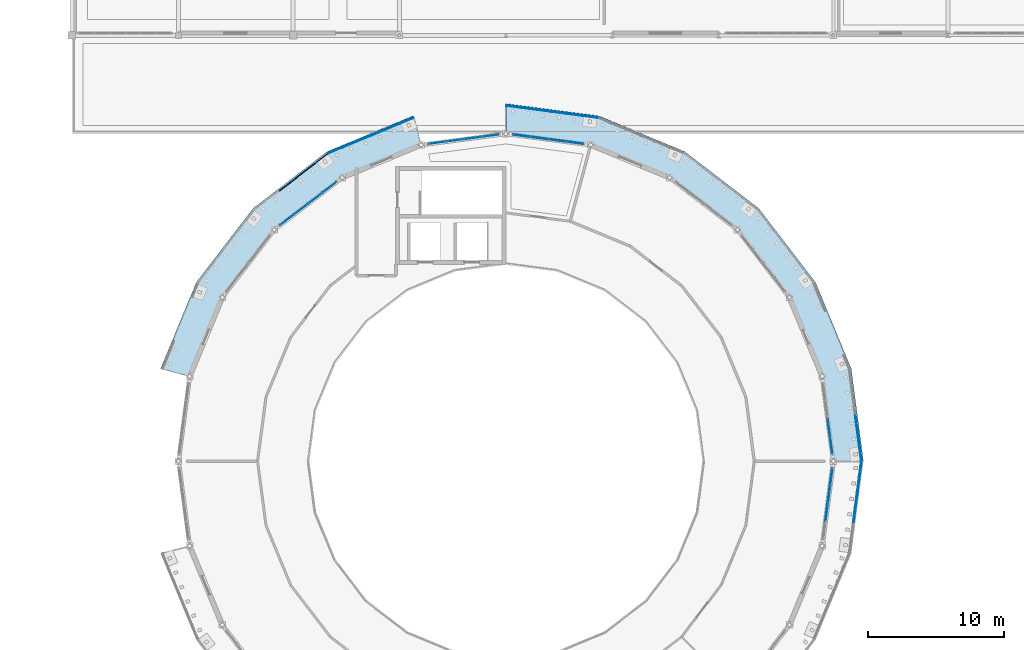
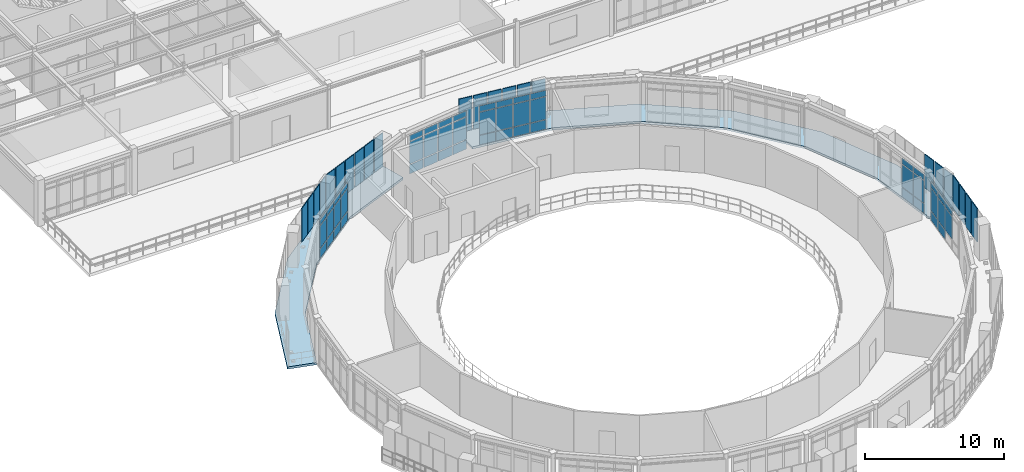
# One storey, part 37 of 58: 73 plates, 2 slabs, 5 elements without a shape of their own.
"""IFC4 building model written with IfcOpenShell, lengths in metres."""

from ifc_helpers import new_model, si_unit, derived_unit, direction, frame, origin, origin_2d, place, context, subcontext, project, spatial, polyline, rectangle, outline, extrude, material, layer, layer_set, type_object, element, aggregate, save


model = new_model("IFC4")

# Units and contexts
model_context = context("Model", 3, precision=1e-05, world=origin(), true_north=direction((0.0, 1.0)))
body_context = subcontext(model_context, "Body", "Model", "MODEL_VIEW")
ifc_project = project(units=[si_unit("LENGTHUNIT", "METRE"), si_unit("AREAUNIT", "SQUARE_METRE"), si_unit("VOLUMEUNIT", "CUBIC_METRE"), si_unit("PLANEANGLEUNIT", "RADIAN"), si_unit("MASSUNIT", "GRAM", prefix="KILO"), derived_unit("THERMALTRANSMITTANCEUNIT", [(si_unit("POWERUNIT", "WATT"), 1), (si_unit("AREAUNIT", "SQUARE_METRE"), -1), (si_unit("THERMODYNAMICTEMPERATUREUNIT", "KELVIN"), -1)])], contexts=[model_context])

# Site, building, storey
site_placement = place(None, origin())
site = spatial("IfcSite", under=ifc_project, at=site_placement, CompositionType="ELEMENT")
building_placement = place(site_placement, origin())
building = spatial("IfcBuilding", under=site, at=building_placement, Name="Yasenodar Specialist Clinic", CompositionType="ELEMENT")
storey_placement = place(building_placement, frame((0.0, 0.0, 17.25)))
storey = spatial("IfcBuildingStorey", under=building, at=storey_placement, Name="L04", CompositionType="ELEMENT", Elevation=17.25)

# Curtain wall, plates
ifc_material_1 = material(Name="Bronze Anodized Aluminium and Triple Low-E Glass", Category="aluminium")
ifc_layer_1 = layer(ifc_material_1, 0.1669921875)
ifc_layer_set_1 = layer_set([ifc_layer_1], Name="Bronze Anodized Aluminium and Triple Low-E Glass")
curtain_wall_type = type_object("IfcCurtainWallType", Name="CW-SYS-01", PredefinedType="USERDEFINED", material=ifc_layer_set_1)
curtain_wall_1_placement = place(storey_placement, origin())
curtain_wall_1 = element("IfcCurtainWall", 1, at=curtain_wall_1_placement, inside=storey, type_object=curtain_wall_type, Name="L04 Unitised Curtain Wall 056", ObjectType="UNITISED CURTAIN WALL", PredefinedType="USERDEFINED")
ifc_material_2 = material(Name="Triple Low-E Argon Glazing", Category="glass")
ifc_layer_2 = layer(ifc_material_2, 0.028076171875)
ifc_layer_set_2 = layer_set([ifc_layer_2], Name="Triple Low-E Argon Glazing")
plate_type_1 = type_object("IfcPlateType", Name="CW-PAN-1", PredefinedType="CURTAIN_PANEL", material=ifc_layer_set_2)
plate_1_placement = place(storey_placement, frame((104.677734375, 61.248291015625, 0.06005859375), z_axis=(0.0, 0.0, 1.0), x_axis=(0.13051156024, -0.991446787601, 0.0)))
plate_1 = element("IfcPlate", 2, at=plate_1_placement, type_object=plate_type_1, Name="CW-01 panel 3.1", PredefinedType="CURTAIN_PANEL", context=body_context, shape_type="SweptSolid", body=[
    extrude(rectangle(XDim=1.266357421875, YDim=0.028076171875, at=origin_2d()), origin(), (0.0, 0.0, 1.0), 0.81005859375),
])
plate_2_placement = place(storey_placement, frame((104.677734375, 61.248291015625, 0.93017578125), z_axis=(0.0, 0.0, 1.0), x_axis=(0.13051156024, -0.991446787601, 0.0)))
plate_2 = element("IfcPlate", 3, at=plate_2_placement, type_object=plate_type_1, Name="CW-01 panel 3.2", PredefinedType="CURTAIN_PANEL", context=body_context, shape_type="SweptSolid", body=[
    extrude(rectangle(XDim=1.266357421875, YDim=0.028076171875, at=origin_2d()), origin(), (0.0, 0.0, 1.0), 1.968017578125),
])
plate_3_placement = place(storey_placement, frame((104.677734375, 61.248291015625, 2.9580078125), z_axis=(0.0, 0.0, 1.0), x_axis=(0.13051156024, -0.991446787601, 0.0)))
plate_3 = element("IfcPlate", 4, at=plate_3_placement, type_object=plate_type_1, Name="CW-01 panel 3.3", PredefinedType="CURTAIN_PANEL", context=body_context, shape_type="SweptSolid", body=[
    extrude(rectangle(XDim=1.266357421875, YDim=0.028076171875, at=origin_2d()), origin(), (0.0, 0.0, 1.0), 0.510009765625),
])
plate_4_placement = place(storey_placement, frame((104.848876953125, 59.9482421875, 0.06005859375), z_axis=(0.0, 0.0, 1.0), x_axis=(0.13051156024, -0.991446787601, 0.0)))
plate_4 = element("IfcPlate", 5, at=plate_4_placement, type_object=plate_type_1, Name="CW-01 panel 4.1", PredefinedType="CURTAIN_PANEL", context=body_context, shape_type="SweptSolid", body=[
    extrude(rectangle(XDim=1.236328125, YDim=0.028076171875, at=origin_2d()), origin(), (0.0, 0.0, 1.0), 0.81005859375),
])
plate_5_placement = place(storey_placement, frame((104.848876953125, 59.9482421875, 0.93017578125), z_axis=(0.0, 0.0, 1.0), x_axis=(0.13051156024, -0.991446787601, 0.0)))
plate_5 = element("IfcPlate", 6, at=plate_5_placement, type_object=plate_type_1, Name="CW-01 panel 4.2", PredefinedType="CURTAIN_PANEL", context=body_context, shape_type="SweptSolid", body=[
    extrude(rectangle(XDim=1.236328125, YDim=0.028076171875, at=origin_2d()), origin(), (0.0, 0.0, 1.0), 1.968017578125),
])
plate_6_placement = place(storey_placement, frame((104.848876953125, 59.9482421875, 2.9580078125), z_axis=(0.0, 0.0, 1.0), x_axis=(0.13051156024, -0.991446787601, 0.0)))
plate_6 = element("IfcPlate", 7, at=plate_6_placement, type_object=plate_type_1, Name="CW-01 panel 4.3", PredefinedType="CURTAIN_PANEL", context=body_context, shape_type="SweptSolid", body=[
    extrude(rectangle(XDim=1.236328125, YDim=0.028076171875, at=origin_2d()), origin(), (0.0, 0.0, 1.0), 0.510009765625),
])
aggregate(curtain_wall_1, [plate_1, plate_2, plate_3, plate_4, plate_5, plate_6])

curtain_wall_2_placement = place(storey_placement, origin())
curtain_wall_2 = element("IfcCurtainWall", 8, at=curtain_wall_2_placement, inside=storey, type_object=curtain_wall_type, Name="L04 Unitised Curtain Wall 060", ObjectType="UNITISED CURTAIN WALL", PredefinedType="USERDEFINED")
plate_7_placement = place(storey_placement, frame((75.940185546875, 82.1337890625, 0.074951171875), z_axis=(0.0, 0.0, 1.0), x_axis=(0.991446787601, 0.13051156024, 0.0)))
plate_7 = element("IfcPlate", 9, at=plate_7_placement, type_object=plate_type_1, Name="CW-01 panel 1.1", PredefinedType="CURTAIN_PANEL", context=body_context, shape_type="SweptSolid", body=[
    extrude(rectangle(XDim=1.2138671875, YDim=0.028076171875, at=origin_2d()), origin(), (0.0, 0.0, 1.0), 0.78759765625),
])
plate_8_placement = place(storey_placement, frame((75.940185546875, 82.1337890625, 0.9375), z_axis=(0.0, 0.0, 1.0), x_axis=(0.991446787601, 0.13051156024, 0.0)))
plate_8 = element("IfcPlate", 10, at=plate_8_placement, type_object=plate_type_1, Name="CW-01 panel 1.2", PredefinedType="CURTAIN_PANEL", context=body_context, shape_type="SweptSolid", body=[
    extrude(rectangle(XDim=1.2138671875, YDim=0.028076171875, at=origin_2d()), origin(), (0.0, 0.0, 1.0), 1.952880859375),
])
plate_9_placement = place(storey_placement, frame((75.940185546875, 82.1337890625, 2.96533203125), z_axis=(0.0, 0.0, 1.0), x_axis=(0.991446787601, 0.13051156024, 0.0)))
plate_9 = element("IfcPlate", 11, at=plate_9_placement, type_object=plate_type_1, Name="CW-01 panel 1.3", PredefinedType="CURTAIN_PANEL", context=body_context, shape_type="SweptSolid", body=[
    extrude(rectangle(XDim=1.2138671875, YDim=0.028076171875, at=origin_2d()), origin(), (0.0, 0.0, 1.0), 0.487548828125),
])
plate_10_placement = place(storey_placement, frame((77.236572265625, 82.304443359375, 0.074951171875), z_axis=(0.0, 0.0, 1.0), x_axis=(0.991446787601, 0.13051156024, 0.0)))
plate_10 = element("IfcPlate", 12, at=plate_10_placement, type_object=plate_type_1, Name="CW-01 panel 2.1", PredefinedType="CURTAIN_PANEL", context=body_context, shape_type="SweptSolid", body=[
    extrude(rectangle(XDim=1.251220703125, YDim=0.028076171875, at=origin_2d()), origin(), (0.0, 0.0, 1.0), 0.78759765625),
])
plate_11_placement = place(storey_placement, frame((77.236572265625, 82.304443359375, 0.9375), z_axis=(0.0, 0.0, 1.0), x_axis=(0.991446787601, 0.13051156024, 0.0)))
plate_11 = element("IfcPlate", 13, at=plate_11_placement, type_object=plate_type_1, Name="CW-01 panel 2.2", PredefinedType="CURTAIN_PANEL", context=body_context, shape_type="SweptSolid", body=[
    extrude(rectangle(XDim=1.251220703125, YDim=0.028076171875, at=origin_2d()), origin(), (0.0, 0.0, 1.0), 1.952880859375),
])
plate_12_placement = place(storey_placement, frame((77.236572265625, 82.304443359375, 2.96533203125), z_axis=(0.0, 0.0, 1.0), x_axis=(0.991446787601, 0.13051156024, 0.0)))
plate_12 = element("IfcPlate", 14, at=plate_12_placement, type_object=plate_type_1, Name="CW-01 panel 2.3", PredefinedType="CURTAIN_PANEL", context=body_context, shape_type="SweptSolid", body=[
    extrude(rectangle(XDim=1.251220703125, YDim=0.028076171875, at=origin_2d()), origin(), (0.0, 0.0, 1.0), 0.487548828125),
])
plate_13_placement = place(storey_placement, frame((78.5517578125, 82.4775390625, 0.074951171875), z_axis=(0.0, 0.0, 1.0), x_axis=(0.991446787601, 0.13051156024, 0.0)))
plate_13 = element("IfcPlate", 15, at=plate_13_placement, type_object=plate_type_1, Name="CW-01 panel 3.1", PredefinedType="CURTAIN_PANEL", context=body_context, shape_type="SweptSolid", body=[
    extrude(rectangle(XDim=1.251220703125, YDim=0.028076171875, at=origin_2d()), origin(), (0.0, 0.0, 1.0), 0.78759765625),
])
plate_14_placement = place(storey_placement, frame((78.5517578125, 82.4775390625, 0.9375), z_axis=(0.0, 0.0, 1.0), x_axis=(0.991446787601, 0.13051156024, 0.0)))
plate_14 = element("IfcPlate", 16, at=plate_14_placement, type_object=plate_type_1, Name="CW-01 panel 3.2", PredefinedType="CURTAIN_PANEL", context=body_context, shape_type="SweptSolid", body=[
    extrude(rectangle(XDim=1.251220703125, YDim=0.028076171875, at=origin_2d()), origin(), (0.0, 0.0, 1.0), 1.952880859375),
])
plate_15_placement = place(storey_placement, frame((78.5517578125, 82.4775390625, 2.96533203125), z_axis=(0.0, 0.0, 1.0), x_axis=(0.991446787601, 0.13051156024, 0.0)))
plate_15 = element("IfcPlate", 17, at=plate_15_placement, type_object=plate_type_1, Name="CW-01 panel 3.3", PredefinedType="CURTAIN_PANEL", context=body_context, shape_type="SweptSolid", body=[
    extrude(rectangle(XDim=1.251220703125, YDim=0.028076171875, at=origin_2d()), origin(), (0.0, 0.0, 1.0), 0.487548828125),
])
plate_16_placement = place(storey_placement, frame((79.84814453125, 82.648193359375, 0.074951171875), z_axis=(0.0, 0.0, 1.0), x_axis=(0.991446787601, 0.13051156024, 0.0)))
plate_16 = element("IfcPlate", 18, at=plate_16_placement, type_object=plate_type_1, Name="CW-01 panel 4.1", PredefinedType="CURTAIN_PANEL", context=body_context, shape_type="SweptSolid", body=[
    extrude(rectangle(XDim=1.2138671875, YDim=0.028076171875, at=origin_2d()), origin(), (0.0, 0.0, 1.0), 0.78759765625),
])
plate_17_placement = place(storey_placement, frame((79.84814453125, 82.648193359375, 0.9375), z_axis=(0.0, 0.0, 1.0), x_axis=(0.991446787601, 0.13051156024, 0.0)))
plate_17 = element("IfcPlate", 19, at=plate_17_placement, type_object=plate_type_1, Name="CW-01 panel 4.2", PredefinedType="CURTAIN_PANEL", context=body_context, shape_type="SweptSolid", body=[
    extrude(rectangle(XDim=1.2138671875, YDim=0.028076171875, at=origin_2d()), origin(), (0.0, 0.0, 1.0), 1.952880859375),
])
plate_18_placement = place(storey_placement, frame((79.84814453125, 82.648193359375, 2.96533203125), z_axis=(0.0, 0.0, 1.0), x_axis=(0.991446787601, 0.13051156024, 0.0)))
plate_18 = element("IfcPlate", 20, at=plate_18_placement, type_object=plate_type_1, Name="CW-01 panel 4.3", PredefinedType="CURTAIN_PANEL", context=body_context, shape_type="SweptSolid", body=[
    extrude(rectangle(XDim=1.2138671875, YDim=0.028076171875, at=origin_2d()), origin(), (0.0, 0.0, 1.0), 0.487548828125),
])
aggregate(curtain_wall_2, [plate_7, plate_8, plate_9, plate_10, plate_11, plate_12, plate_13, plate_14, plate_15, plate_16, plate_17, plate_18])

curtain_wall_3_placement = place(storey_placement, origin())
curtain_wall_3 = element("IfcCurtainWall", 21, at=curtain_wall_3_placement, inside=storey, type_object=curtain_wall_type, Name="L04 Unitised Curtain Wall 061", ObjectType="UNITISED CURTAIN WALL", PredefinedType="USERDEFINED")
ifc_layer_3 = layer(ifc_material_2, 0.033935546875)
ifc_layer_set_3 = layer_set([ifc_layer_3], Name="Triple Low-E Argon Glazing")
plate_type_2 = type_object("IfcPlateType", Name="CW-PAN-2", PredefinedType="CURTAIN_PANEL", material=ifc_layer_set_3)
plate_19_placement = place(storey_placement, frame((64.9482421875, 76.4755859375, 0.06005859375), z_axis=(0.0, 0.0, 1.0), x_axis=(0.793360558574, 0.608752021844, 0.0)))
plate_19 = element("IfcPlate", 22, at=plate_19_placement, type_object=plate_type_2, Name="CW-01 panel 1.1", PredefinedType="CURTAIN_PANEL", context=body_context, shape_type="SweptSolid", body=[
    extrude(rectangle(XDim=1.236328125, YDim=0.033935546875, at=origin_2d()), origin(), (0.0, 0.0, 1.0), 0.81005859375),
])
plate_20_placement = place(storey_placement, frame((64.9482421875, 76.4755859375, 0.93017578125), z_axis=(0.0, 0.0, 1.0), x_axis=(0.793360558574, 0.608752021844, 0.0)))
plate_20 = element("IfcPlate", 23, at=plate_20_placement, type_object=plate_type_2, Name="CW-01 panel 1.2", PredefinedType="CURTAIN_PANEL", context=body_context, shape_type="SweptSolid", body=[
    extrude(rectangle(XDim=1.236328125, YDim=0.033935546875, at=origin_2d()), origin(), (0.0, 0.0, 1.0), 1.968017578125),
])
plate_21_placement = place(storey_placement, frame((64.9482421875, 76.4755859375, 2.9580078125), z_axis=(0.0, 0.0, 1.0), x_axis=(0.793360558574, 0.608752021844, 0.0)))
plate_21 = element("IfcPlate", 24, at=plate_21_placement, type_object=plate_type_2, Name="CW-01 panel 1.3", PredefinedType="CURTAIN_PANEL", context=body_context, shape_type="SweptSolid", body=[
    extrude(rectangle(XDim=1.236328125, YDim=0.033935546875, at=origin_2d()), origin(), (0.0, 0.0, 1.0), 0.510009765625),
])
plate_22_placement = place(storey_placement, frame((65.988525390625, 77.27392578125, 0.06005859375), z_axis=(0.0, 0.0, 1.0), x_axis=(0.793360558574, 0.608752021844, 0.0)))
plate_22 = element("IfcPlate", 25, at=plate_22_placement, type_object=plate_type_2, Name="CW-01 panel 2.1", PredefinedType="CURTAIN_PANEL", context=body_context, shape_type="SweptSolid", body=[
    extrude(rectangle(XDim=1.266357421875, YDim=0.033935546875, at=origin_2d()), origin(), (0.0, 0.0, 1.0), 0.81005859375),
])
plate_23_placement = place(storey_placement, frame((65.988525390625, 77.27392578125, 0.93017578125), z_axis=(0.0, 0.0, 1.0), x_axis=(0.793360558574, 0.608752021844, 0.0)))
plate_23 = element("IfcPlate", 26, at=plate_23_placement, type_object=plate_type_2, Name="CW-01 panel 2.2", PredefinedType="CURTAIN_PANEL", context=body_context, shape_type="SweptSolid", body=[
    extrude(rectangle(XDim=1.266357421875, YDim=0.033935546875, at=origin_2d()), origin(), (0.0, 0.0, 1.0), 1.968017578125),
])
plate_24_placement = place(storey_placement, frame((65.988525390625, 77.27392578125, 2.9580078125), z_axis=(0.0, 0.0, 1.0), x_axis=(0.793360558574, 0.608752021844, 0.0)))
plate_24 = element("IfcPlate", 27, at=plate_24_placement, type_object=plate_type_2, Name="CW-01 panel 2.3", PredefinedType="CURTAIN_PANEL", context=body_context, shape_type="SweptSolid", body=[
    extrude(rectangle(XDim=1.266357421875, YDim=0.033935546875, at=origin_2d()), origin(), (0.0, 0.0, 1.0), 0.510009765625),
])
plate_25_placement = place(storey_placement, frame((67.040771484375, 78.081298828125, 0.06005859375), z_axis=(0.0, 0.0, 1.0), x_axis=(0.793360558574, 0.608752021844, 0.0)))
plate_25 = element("IfcPlate", 28, at=plate_25_placement, type_object=plate_type_2, Name="CW-01 panel 3.1", PredefinedType="CURTAIN_PANEL", context=body_context, shape_type="SweptSolid", body=[
    extrude(rectangle(XDim=1.266357421875, YDim=0.033935546875, at=origin_2d()), origin(), (0.0, 0.0, 1.0), 0.81005859375),
])
plate_26_placement = place(storey_placement, frame((67.040771484375, 78.081298828125, 0.93017578125), z_axis=(0.0, 0.0, 1.0), x_axis=(0.793360558574, 0.608752021844, 0.0)))
plate_26 = element("IfcPlate", 29, at=plate_26_placement, type_object=plate_type_2, Name="CW-01 panel 3.2", PredefinedType="CURTAIN_PANEL", context=body_context, shape_type="SweptSolid", body=[
    extrude(rectangle(XDim=1.266357421875, YDim=0.033935546875, at=origin_2d()), origin(), (0.0, 0.0, 1.0), 1.968017578125),
])
plate_27_placement = place(storey_placement, frame((67.040771484375, 78.081298828125, 2.9580078125), z_axis=(0.0, 0.0, 1.0), x_axis=(0.793360558574, 0.608752021844, 0.0)))
plate_27 = element("IfcPlate", 30, at=plate_27_placement, type_object=plate_type_2, Name="CW-01 panel 3.3", PredefinedType="CURTAIN_PANEL", context=body_context, shape_type="SweptSolid", body=[
    extrude(rectangle(XDim=1.266357421875, YDim=0.033935546875, at=origin_2d()), origin(), (0.0, 0.0, 1.0), 0.510009765625),
])
plate_28_placement = place(storey_placement, frame((68.0810546875, 78.879638671875, 0.06005859375), z_axis=(0.0, 0.0, 1.0), x_axis=(0.793360558574, 0.608752021844, 0.0)))
plate_28 = element("IfcPlate", 31, at=plate_28_placement, type_object=plate_type_2, Name="CW-01 panel 4.1", PredefinedType="CURTAIN_PANEL", context=body_context, shape_type="SweptSolid", body=[
    extrude(rectangle(XDim=1.236328125, YDim=0.033935546875, at=origin_2d()), origin(), (0.0, 0.0, 1.0), 0.81005859375),
])
plate_29_placement = place(storey_placement, frame((68.0810546875, 78.879638671875, 0.93017578125), z_axis=(0.0, 0.0, 1.0), x_axis=(0.793360558574, 0.608752021844, 0.0)))
plate_29 = element("IfcPlate", 32, at=plate_29_placement, type_object=plate_type_2, Name="CW-01 panel 4.2", PredefinedType="CURTAIN_PANEL", context=body_context, shape_type="SweptSolid", body=[
    extrude(rectangle(XDim=1.236328125, YDim=0.033935546875, at=origin_2d()), origin(), (0.0, 0.0, 1.0), 1.968017578125),
])
plate_30_placement = place(storey_placement, frame((68.0810546875, 78.879638671875, 2.9580078125), z_axis=(0.0, 0.0, 1.0), x_axis=(0.793360558574, 0.608752021844, 0.0)))
plate_30 = element("IfcPlate", 33, at=plate_30_placement, type_object=plate_type_2, Name="CW-01 panel 4.3", PredefinedType="CURTAIN_PANEL", context=body_context, shape_type="SweptSolid", body=[
    extrude(rectangle(XDim=1.236328125, YDim=0.033935546875, at=origin_2d()), origin(), (0.0, 0.0, 1.0), 0.510009765625),
])
aggregate(curtain_wall_3, [plate_19, plate_20, plate_21, plate_22, plate_23, plate_24, plate_25, plate_26, plate_27, plate_28, plate_29, plate_30])

curtain_wall_4_placement = place(storey_placement, origin())
curtain_wall_4 = element("IfcCurtainWall", 34, at=curtain_wall_4_placement, inside=storey, type_object=curtain_wall_type, Name="L04 Unitised Curtain Wall 059", ObjectType="UNITISED CURTAIN WALL", PredefinedType="USERDEFINED")
ifc_layer_4 = layer(ifc_material_2, 0.0458984375)
ifc_layer_set_4 = layer_set([ifc_layer_4], Name="Triple Low-E Argon Glazing")
plate_type_3 = type_object("IfcPlateType", Name="CW-PAN-4", PredefinedType="CURTAIN_PANEL", material=ifc_layer_set_4)
plate_31_placement = place(storey_placement, frame((82.148193359375, 82.648681640625, 0.06005859375), z_axis=(0.0, 0.0, 1.0), x_axis=(0.991446787601, -0.13051156024, 0.0)))
plate_31 = element("IfcPlate", 35, at=plate_31_placement, type_object=plate_type_3, Name="CW-01 panel 1.1", PredefinedType="CURTAIN_PANEL", context=body_context, shape_type="SweptSolid", body=[
    extrude(rectangle(XDim=1.236328125, YDim=0.0458984375, at=origin_2d()), origin(), (0.0, 0.0, 1.0), 0.81005859375),
])
plate_32_placement = place(storey_placement, frame((82.148193359375, 82.648681640625, 0.93017578125), z_axis=(0.0, 0.0, 1.0), x_axis=(0.991446787601, -0.13051156024, 0.0)))
plate_32 = element("IfcPlate", 36, at=plate_32_placement, type_object=plate_type_3, Name="CW-01 panel 1.2", PredefinedType="CURTAIN_PANEL", context=body_context, shape_type="SweptSolid", body=[
    extrude(rectangle(XDim=1.236328125, YDim=0.0458984375, at=origin_2d()), origin(), (0.0, 0.0, 1.0), 1.968017578125),
])
plate_33_placement = place(storey_placement, frame((82.148193359375, 82.648681640625, 2.9580078125), z_axis=(0.0, 0.0, 1.0), x_axis=(0.991446787601, -0.13051156024, 0.0)))
plate_33 = element("IfcPlate", 37, at=plate_33_placement, type_object=plate_type_3, Name="CW-01 panel 1.3", PredefinedType="CURTAIN_PANEL", context=body_context, shape_type="SweptSolid", body=[
    extrude(rectangle(XDim=1.236328125, YDim=0.0458984375, at=origin_2d()), origin(), (0.0, 0.0, 1.0), 0.510009765625),
])
plate_34_placement = place(storey_placement, frame((83.4482421875, 82.4775390625, 0.06005859375), z_axis=(0.0, 0.0, 1.0), x_axis=(0.991446787601, -0.13051156024, 0.0)))
plate_34 = element("IfcPlate", 38, at=plate_34_placement, type_object=plate_type_3, Name="CW-01 panel 2.1", PredefinedType="CURTAIN_PANEL", context=body_context, shape_type="SweptSolid", body=[
    extrude(rectangle(XDim=1.266357421875, YDim=0.0458984375, at=origin_2d()), origin(), (0.0, 0.0, 1.0), 0.81005859375),
])
plate_35_placement = place(storey_placement, frame((83.4482421875, 82.4775390625, 0.93017578125), z_axis=(0.0, 0.0, 1.0), x_axis=(0.991446787601, -0.13051156024, 0.0)))
plate_35 = element("IfcPlate", 39, at=plate_35_placement, type_object=plate_type_3, Name="CW-01 panel 2.2", PredefinedType="CURTAIN_PANEL", context=body_context, shape_type="SweptSolid", body=[
    extrude(rectangle(XDim=1.266357421875, YDim=0.0458984375, at=origin_2d()), origin(), (0.0, 0.0, 1.0), 1.968017578125),
])
plate_36_placement = place(storey_placement, frame((83.4482421875, 82.4775390625, 2.9580078125), z_axis=(0.0, 0.0, 1.0), x_axis=(0.991446787601, -0.13051156024, 0.0)))
plate_36 = element("IfcPlate", 40, at=plate_36_placement, type_object=plate_type_3, Name="CW-01 panel 2.3", PredefinedType="CURTAIN_PANEL", context=body_context, shape_type="SweptSolid", body=[
    extrude(rectangle(XDim=1.266357421875, YDim=0.0458984375, at=origin_2d()), origin(), (0.0, 0.0, 1.0), 0.510009765625),
])
plate_37_placement = place(storey_placement, frame((84.763427734375, 82.304443359375, 0.06005859375), z_axis=(0.0, 0.0, 1.0), x_axis=(0.991446787601, -0.13051156024, 0.0)))
plate_37 = element("IfcPlate", 41, at=plate_37_placement, type_object=plate_type_3, Name="CW-01 panel 3.1", PredefinedType="CURTAIN_PANEL", context=body_context, shape_type="SweptSolid", body=[
    extrude(rectangle(XDim=1.266357421875, YDim=0.0458984375, at=origin_2d()), origin(), (0.0, 0.0, 1.0), 0.81005859375),
])
plate_38_placement = place(storey_placement, frame((84.763427734375, 82.304443359375, 0.93017578125), z_axis=(0.0, 0.0, 1.0), x_axis=(0.991446787601, -0.13051156024, 0.0)))
plate_38 = element("IfcPlate", 42, at=plate_38_placement, type_object=plate_type_3, Name="CW-01 panel 3.2", PredefinedType="CURTAIN_PANEL", context=body_context, shape_type="SweptSolid", body=[
    extrude(rectangle(XDim=1.266357421875, YDim=0.0458984375, at=origin_2d()), origin(), (0.0, 0.0, 1.0), 1.968017578125),
])
plate_39_placement = place(storey_placement, frame((84.763427734375, 82.304443359375, 2.9580078125), z_axis=(0.0, 0.0, 1.0), x_axis=(0.991446787601, -0.13051156024, 0.0)))
plate_39 = element("IfcPlate", 43, at=plate_39_placement, type_object=plate_type_3, Name="CW-01 panel 3.3", PredefinedType="CURTAIN_PANEL", context=body_context, shape_type="SweptSolid", body=[
    extrude(rectangle(XDim=1.266357421875, YDim=0.0458984375, at=origin_2d()), origin(), (0.0, 0.0, 1.0), 0.510009765625),
])
plate_40_placement = place(storey_placement, frame((86.0634765625, 82.13330078125, 0.06005859375), z_axis=(0.0, 0.0, 1.0), x_axis=(0.991446787601, -0.13051156024, 0.0)))
plate_40 = element("IfcPlate", 44, at=plate_40_placement, type_object=plate_type_3, Name="CW-01 panel 4.1", PredefinedType="CURTAIN_PANEL", context=body_context, shape_type="SweptSolid", body=[
    extrude(rectangle(XDim=1.236328125, YDim=0.0458984375, at=origin_2d()), origin(), (0.0, 0.0, 1.0), 0.81005859375),
])
plate_41_placement = place(storey_placement, frame((86.0634765625, 82.13330078125, 0.93017578125), z_axis=(0.0, 0.0, 1.0), x_axis=(0.991446787601, -0.13051156024, 0.0)))
plate_41 = element("IfcPlate", 45, at=plate_41_placement, type_object=plate_type_3, Name="CW-01 panel 4.2", PredefinedType="CURTAIN_PANEL", context=body_context, shape_type="SweptSolid", body=[
    extrude(rectangle(XDim=1.236328125, YDim=0.0458984375, at=origin_2d()), origin(), (0.0, 0.0, 1.0), 1.968017578125),
])
plate_42_placement = place(storey_placement, frame((86.0634765625, 82.13330078125, 2.9580078125), z_axis=(0.0, 0.0, 1.0), x_axis=(0.991446787601, -0.13051156024, 0.0)))
plate_42 = element("IfcPlate", 46, at=plate_42_placement, type_object=plate_type_3, Name="CW-01 panel 4.3", PredefinedType="CURTAIN_PANEL", context=body_context, shape_type="SweptSolid", body=[
    extrude(rectangle(XDim=1.236328125, YDim=0.0458984375, at=origin_2d()), origin(), (0.0, 0.0, 1.0), 0.510009765625),
])
aggregate(curtain_wall_4, [plate_31, plate_32, plate_33, plate_34, plate_35, plate_36, plate_37, plate_38, plate_39, plate_40, plate_41, plate_42])

curtain_wall_5_placement = place(storey_placement, origin())
curtain_wall_5 = element("IfcCurtainWall", 47, at=curtain_wall_5_placement, inside=storey, type_object=curtain_wall_type, Name="L04 Unitised Curtain Wall 071", ObjectType="UNITISED CURTAIN WALL", PredefinedType="USERDEFINED")
plate_43_placement = place(storey_placement, frame((104.848876953125, 57.65185546875, 0.06005859375), z_axis=(0.0, 0.0, 1.0), x_axis=(-0.13051156024, -0.991446787601, 0.0)))
plate_43 = element("IfcPlate", 48, at=plate_43_placement, type_object=plate_type_3, Name="CW-01 panel 1.1", PredefinedType="CURTAIN_PANEL", context=body_context, shape_type="SweptSolid", body=[
    extrude(rectangle(XDim=1.236328125, YDim=0.0458984375, at=origin_2d()), origin(), (0.0, 0.0, 1.0), 0.81005859375),
])
plate_44_placement = place(storey_placement, frame((104.848876953125, 57.65185546875, 0.93017578125), z_axis=(0.0, 0.0, 1.0), x_axis=(-0.13051156024, -0.991446787601, 0.0)))
plate_44 = element("IfcPlate", 49, at=plate_44_placement, type_object=plate_type_3, Name="CW-01 panel 1.2", PredefinedType="CURTAIN_PANEL", context=body_context, shape_type="SweptSolid", body=[
    extrude(rectangle(XDim=1.236328125, YDim=0.0458984375, at=origin_2d()), origin(), (0.0, 0.0, 1.0), 1.968017578125),
])
plate_45_placement = place(storey_placement, frame((104.848876953125, 57.65185546875, 2.9580078125), z_axis=(0.0, 0.0, 1.0), x_axis=(-0.13051156024, -0.991446787601, 0.0)))
plate_45 = element("IfcPlate", 50, at=plate_45_placement, type_object=plate_type_3, Name="CW-01 panel 1.3", PredefinedType="CURTAIN_PANEL", context=body_context, shape_type="SweptSolid", body=[
    extrude(rectangle(XDim=1.236328125, YDim=0.0458984375, at=origin_2d()), origin(), (0.0, 0.0, 1.0), 0.510009765625),
])
plate_46_placement = place(storey_placement, frame((104.677734375, 56.3515625, 0.06005859375), z_axis=(0.0, 0.0, 1.0), x_axis=(-0.13051156024, -0.991446787601, 0.0)))
plate_46 = element("IfcPlate", 51, at=plate_46_placement, type_object=plate_type_3, Name="CW-01 panel 2.1", PredefinedType="CURTAIN_PANEL", context=body_context, shape_type="SweptSolid", body=[
    extrude(rectangle(XDim=1.266357421875, YDim=0.0458984375, at=origin_2d()), origin(), (0.0, 0.0, 1.0), 0.81005859375),
])
plate_47_placement = place(storey_placement, frame((104.677734375, 56.3515625, 0.93017578125), z_axis=(0.0, 0.0, 1.0), x_axis=(-0.13051156024, -0.991446787601, 0.0)))
plate_47 = element("IfcPlate", 52, at=plate_47_placement, type_object=plate_type_3, Name="CW-01 panel 2.2", PredefinedType="CURTAIN_PANEL", context=body_context, shape_type="SweptSolid", body=[
    extrude(rectangle(XDim=1.266357421875, YDim=0.0458984375, at=origin_2d()), origin(), (0.0, 0.0, 1.0), 1.968017578125),
])
plate_48_placement = place(storey_placement, frame((104.677734375, 56.3515625, 2.9580078125), z_axis=(0.0, 0.0, 1.0), x_axis=(-0.13051156024, -0.991446787601, 0.0)))
plate_48 = element("IfcPlate", 53, at=plate_48_placement, type_object=plate_type_3, Name="CW-01 panel 2.3", PredefinedType="CURTAIN_PANEL", context=body_context, shape_type="SweptSolid", body=[
    extrude(rectangle(XDim=1.266357421875, YDim=0.0458984375, at=origin_2d()), origin(), (0.0, 0.0, 1.0), 0.510009765625),
])
plate_49_placement = place(storey_placement, frame((104.504638671875, 55.03662109375, 0.93017578125), z_axis=(0.0, 0.0, 1.0), x_axis=(-0.13051156024, -0.991446787601, 0.0)))
plate_49 = element("IfcPlate", 54, at=plate_49_placement, type_object=plate_type_3, Name="CW-01 panel 3.2", PredefinedType="CURTAIN_PANEL", context=body_context, shape_type="SweptSolid", body=[
    extrude(rectangle(XDim=1.266357421875, YDim=0.0458984375, at=origin_2d()), origin(), (0.0, 0.0, 1.0), 1.968017578125),
])
plate_50_placement = place(storey_placement, frame((104.504638671875, 55.03662109375, 2.9580078125), z_axis=(0.0, 0.0, 1.0), x_axis=(-0.13051156024, -0.991446787601, 0.0)))
plate_50 = element("IfcPlate", 55, at=plate_50_placement, type_object=plate_type_3, Name="CW-01 panel 3.3", PredefinedType="CURTAIN_PANEL", context=body_context, shape_type="SweptSolid", body=[
    extrude(rectangle(XDim=1.266357421875, YDim=0.0458984375, at=origin_2d()), origin(), (0.0, 0.0, 1.0), 0.510009765625),
])
aggregate(curtain_wall_5, [plate_43, plate_44, plate_45, plate_46, plate_47, plate_48, plate_49, plate_50])

# Plates
ifc_material_3 = material(Name="Thermally Modified Larch and Bronze Girih Jali Screen")
ifc_layer_5 = layer(ifc_material_3, 0.06494140625)
ifc_layer_set_5 = layer_set([ifc_layer_5], Name="Thermally Modified Larch and Bronze Girih Jali Screen")
plate_type_4 = type_object("IfcPlateType", Name="PL-JALI-850", PredefinedType="USERDEFINED", material=ifc_layer_set_5)
for number, where, z_axis, x_axis, name in (
    (56, (106.98681640625, 59.3466796875, 0.0048828125), (0.0, 0.0, 1.0), (-0.130519185854, 0.991445783754, 0.0), "L04 Sliding Timber-Bronze Jali Shutter Screen 0331"),
    (57, (106.837890625, 60.47705078125, 0.0048828125), (0.0, 0.0, 1.0), (-0.130519185854, 0.991445783754, 0.0), "L04 Sliding Timber-Bronze Jali Shutter Screen 0332"),
    (58, (106.689208984375, 61.607177734375, 0.0048828125), (0.0, 0.0, 1.0), (-0.130519185854, 0.991445783754, 0.0), "L04 Sliding Timber-Bronze Jali Shutter Screen 0333"),
    (59, (87.19775390625, 84.04296875, 0.0048828125), (0.0, 0.0, 1.0), (-0.991445783754, 0.130519185854, 0.0), "L04 Sliding Timber-Bronze Jali Shutter Screen 0358"),
    (60, (86.067626953125, 84.191650390625, 0.0048828125), (0.0, 0.0, 1.0), (-0.991445783754, 0.130519185854, 0.0), "L04 Sliding Timber-Bronze Jali Shutter Screen 0359"),
    (61, (84.9375, 84.340576171875, 0.0048828125), (0.0, 0.0, 1.0), (-0.991445783754, 0.130519185854, 0.0), "L04 Sliding Timber-Bronze Jali Shutter Screen 0360"),
    (62, (83.80712890625, 84.4892578125, 0.0048828125), (0.0, 0.0, 1.0), (-0.991445783754, 0.130519185854, 0.0), "L04 Sliding Timber-Bronze Jali Shutter Screen 0361"),
    (63, (82.677001953125, 84.637939453125, 0.0048828125), (0.0, 0.0, 1.0), (-0.991445783754, 0.130519185854, 0.0), "L04 Sliding Timber-Bronze Jali Shutter Screen 0362"),
    (64, (81.546875, 84.786865234375, 0.0048828125), (0.0, 0.0, 1.0), (-0.991445783754, 0.130519185854, 0.0), "L04 Sliding Timber-Bronze Jali Shutter Screen 0363"),
    (65, (73.745849609375, 83.759765625, 0.0048828125), (0.0, 0.0, 1.0), (-0.923878192594, -0.382686667195, 0.0), "L04 Sliding Timber-Bronze Jali Shutter Screen 0364"),
    (66, (72.69287109375, 83.323486328125, 0.0048828125), (0.0, 0.0, 1.0), (-0.923878192594, -0.382686667195, 0.0), "L04 Sliding Timber-Bronze Jali Shutter Screen 0365"),
    (67, (71.6396484375, 82.887451171875, 0.0048828125), (0.0, 0.0, 1.0), (-0.923878192594, -0.382686667195, 0.0), "L04 Sliding Timber-Bronze Jali Shutter Screen 0366"),
    (68, (70.58642578125, 82.451171875, 0.0048828125), (0.0, 0.0, 1.0), (-0.923878192594, -0.382686667195, 0.0), "L04 Sliding Timber-Bronze Jali Shutter Screen 0367"),
    (69, (69.533203125, 82.014892578125, 0.0048828125), (0.0, 0.0, 1.0), (-0.923878192594, -0.382686667195, 0.0), "L04 Sliding Timber-Bronze Jali Shutter Screen 0368"),
    (70, (68.480224609375, 81.57861328125, 0.0048828125), (0.0, 0.0, 1.0), (-0.923878192594, -0.382686667195, 0.0), "L04 Sliding Timber-Bronze Jali Shutter Screen 0369"),
    (71, (67.532958984375, 81.031982421875, 0.0048828125), (0.0, 0.0, 1.0), (-0.793351200869, -0.608764217148, 0.0), "L04 Sliding Timber-Bronze Jali Shutter Screen 0370"),
    (72, (66.628662109375, 80.337890625, 0.0048828125), (0.0, 0.0, 1.0), (-0.793351200869, -0.608764217148, 0.0), "L04 Sliding Timber-Bronze Jali Shutter Screen 0371"),
    (73, (65.724365234375, 79.64404296875, 0.0048828125), (0.0, 0.0, 1.0), (-0.793351200869, -0.608764217148, 0.0), "L04 Sliding Timber-Bronze Jali Shutter Screen 0372"),
    (74, (64.81982421875, 78.949951171875, 0.0048828125), (0.0, 0.0, 1.0), (-0.793351200869, -0.608764217148, 0.0), "L04 Sliding Timber-Bronze Jali Shutter Screen 0373"),
    (75, (106.54052734375, 54.862548828125, 0.0048828125), (0.0, 0.0, 1.0), (0.130519185854, 0.991445783754, 0.0), "L04 Sliding Timber-Bronze Jali Shutter Screen 0441"),
    (76, (106.689208984375, 55.992919921875, 0.0048828125), (0.0, 0.0, 1.0), (0.130519185854, 0.991445783754, 0.0), "L04 Sliding Timber-Bronze Jali Shutter Screen 0442"),
    (77, (106.837890625, 57.123046875, 0.0048828125), (0.0, 0.0, 1.0), (0.130519185854, 0.991445783754, 0.0), "L04 Sliding Timber-Bronze Jali Shutter Screen 0443"),
    (78, (106.98681640625, 58.253173828125, 0.0048828125), (0.0, 0.0, 1.0), (0.130519185854, 0.991445783754, 0.0), "L04 Sliding Timber-Bronze Jali Shutter Screen 0444"),
):
    element("IfcPlate", number, at=place(storey_placement, frame(where, z_axis=z_axis, x_axis=x_axis)), inside=storey, type_object=plate_type_4, Name=name, ObjectType="SCREEN_PANEL", PredefinedType="USERDEFINED", context=body_context, shape_type="SweptSolid", body=[
        extrude(rectangle(XDim=1.0400390625, YDim=0.06494140625, at=origin_2d()), origin(), (0.0, 0.0, 1.0), 2.949951171875),
    ])

# Slabs
ifc_material_4 = material(Name="Concrete C30/37", Category="concrete")
ifc_layer_6 = layer(ifc_material_4, 0.195068359375)
ifc_layer_set_6 = layer_set([ifc_layer_6], Name="Concrete C30/37")
slab_type = type_object("IfcSlabType", Name="SLB-BALC-195", PredefinedType="FLOOR", material=ifc_layer_set_6)
slab_1_placement = place(storey_placement, frame((0.0, 0.0, -0.195068359375)))
element("IfcSlab", 79, at=slab_1_placement, inside=storey, type_object=slab_type, Name="L04 Drum V1 Balcony Sector 1", PredefinedType="FLOOR", context=body_context, shape_type="SweptSolid", body=[
    extrude(outline(polyline([(81.0, 85.0), (87.781005859375, 84.107421875), (94.10009765625, 81.489990234375), (99.526123046875, 77.326171875), (103.68994140625, 71.89990234375), (106.307373046875, 65.5810546875), (107.199951171875, 58.800048828125), (105.01513671875, 58.800048828125), (104.19677734375, 65.015625), (101.797607421875, 70.8076171875), (97.981201171875, 75.78125), (93.007568359375, 79.59765625), (87.215576171875, 81.996826171875), (81.0, 82.815185546875), (81.0, 85.0)])), origin(), (0.0, 0.0, 1.0), 0.195068359375),
])
slab_2_placement = place(storey_placement, frame((0.0, 0.0, -0.195068359375)))
element("IfcSlab", 80, at=slab_2_placement, inside=storey, type_object=slab_type, Name="L04 Drum V1 Balcony Sector 2", PredefinedType="FLOOR", context=body_context, shape_type="SweptSolid", body=[
    extrude(outline(polyline([(55.692626953125, 65.5810546875), (58.31005859375, 71.89990234375), (62.473876953125, 77.326171875), (67.89990234375, 81.489990234375), (74.218994140625, 84.107421875), (74.784423828125, 81.996826171875), (68.992431640625, 79.59765625), (64.018798828125, 75.78125), (60.202392578125, 70.8076171875), (57.80322265625, 65.015625), (55.692626953125, 65.5810546875)])), origin(), (0.0, 0.0, 1.0), 0.195068359375),
])

save(model, "model.ifc")
